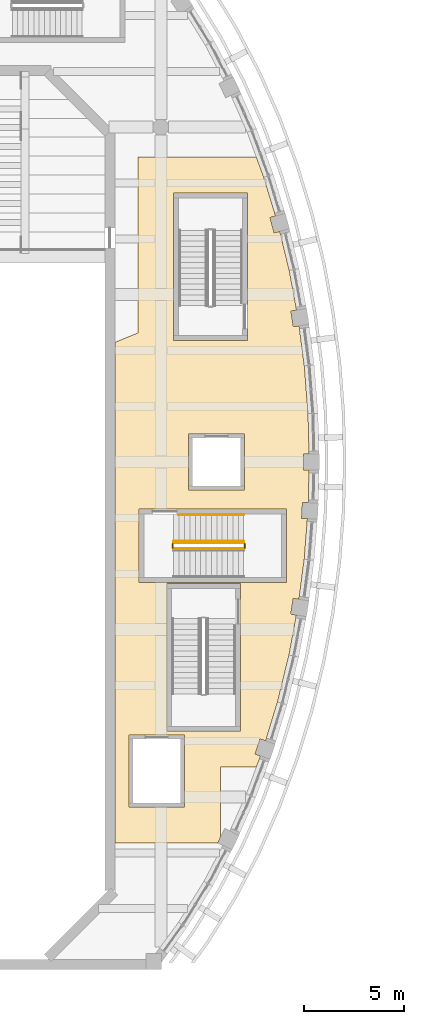
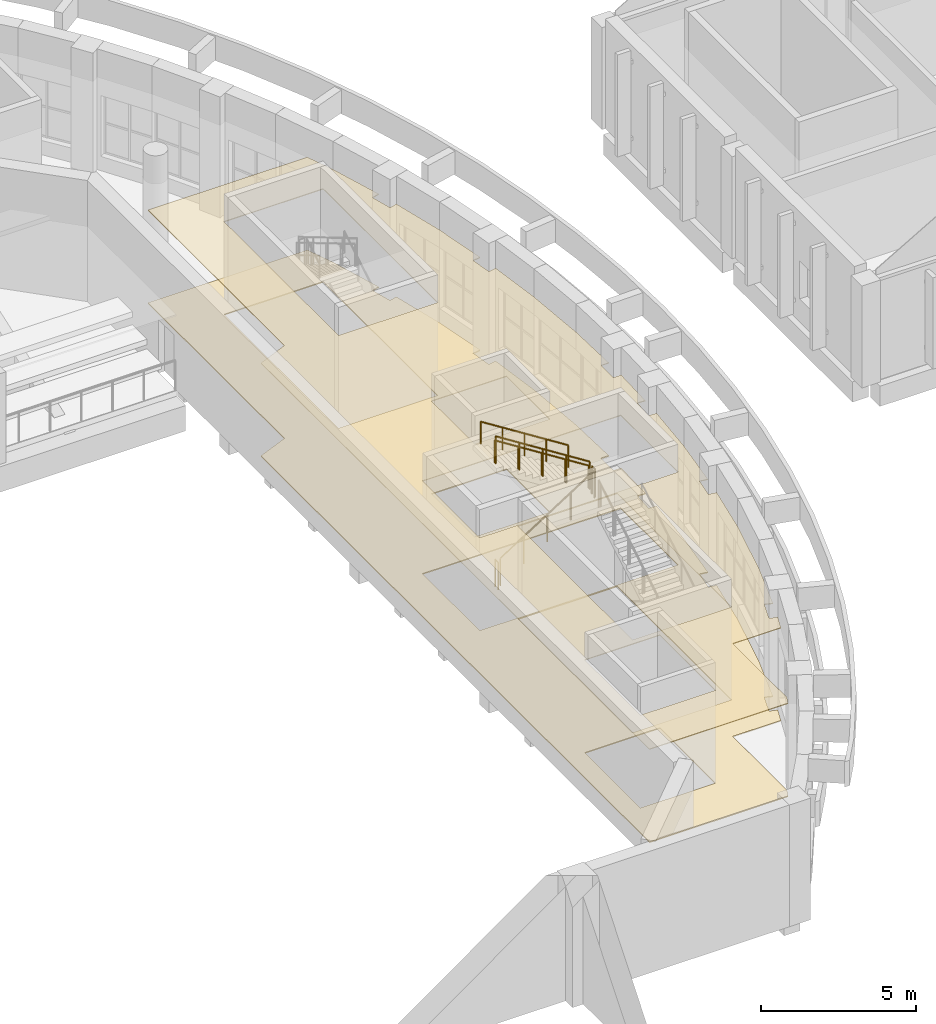
# One storey, part 71 of 79: 6 railings, 2 coverings.
"""IFC4 building model written with IfcOpenShell, lengths in metres."""

from ifc_helpers import new_model, si_unit, direction, frame, origin, origin_2d, place, context, subcontext, project, spatial, polyline, circle, outline, extrude, material, layer, layer_set, type_object, element, save


model = new_model("IFC4")

# Units and contexts
model_context = context("Model", 3, precision=1e-05, world=origin(), true_north=direction((0.0, 1.0)))
body_context = subcontext(model_context, "Body", "Model", "MODEL_VIEW")
ifc_project = project(units=[si_unit("LENGTHUNIT", "METRE"), si_unit("AREAUNIT", "SQUARE_METRE"), si_unit("VOLUMEUNIT", "CUBIC_METRE"), si_unit("PLANEANGLEUNIT", "RADIAN"), si_unit("MASSUNIT", "GRAM", prefix="KILO")], contexts=[model_context])

# Site, building, storey
site_placement = place(None, origin())
site = spatial("IfcSite", under=ifc_project, at=site_placement, CompositionType="ELEMENT")
building_placement = place(site_placement, origin())
building = spatial("IfcBuilding", under=site, at=building_placement, Name="Larchfold Concert Hall", CompositionType="ELEMENT")
storey_placement = place(building_placement, frame((0.0, 0.0, 14.39990234375)))
storey = spatial("IfcBuildingStorey", under=building, at=storey_placement, Name="L03", CompositionType="ELEMENT", Elevation=14.39990234375)

# Coverings
ifc_material_1 = material(Name="Plasterboard ceiling lining")
ifc_layer_1 = layer(ifc_material_1, 0.030029296875)
ifc_layer_set_1 = layer_set([ifc_layer_1], Name="Plasterboard ceiling lining")
covering_type_1 = type_object("IfcCoveringType", Name="Ceiling suspended plasterboard 30", PredefinedType="CEILING", material=ifc_layer_set_1)
covering_1_placement = place(storey_placement, frame((0.0, 0.0, 3.670166015625)))
element("IfcCovering", 1, at=covering_1_placement, inside=storey, type_object=covering_type_1, Name="Ceiling Hall Foyer East", PredefinedType="CEILING", context=body_context, shape_type="SweptSolid", body=[
    extrude(outline(polyline([(58.24560546875, 91.080810546875), (57.10009765625, 90.606201171875), (57.10009765625, 65.5009765625), (62.260498046875, 65.5009765625), (62.399169921875, 65.79150390625), (62.3994140625, 69.29345703125), (62.408203125, 69.301025390625), (64.194091796875, 69.301025390625), (64.402099609375, 69.859130859375), (64.12939453125, 69.951416015625), (64.3857421875, 70.709228515625), (64.65869140625, 70.616943359375), (65.253662109375, 72.562255859375), (65.83203125, 74.927490234375), (66.205322265625, 76.927978515625), (65.919921875, 76.973388671875), (66.04541015625, 77.763427734375), (66.3310546875, 77.718017578125), (66.5966796875, 79.73583984375), (66.755615234375, 81.765869140625), (66.466552734375, 81.781005859375), (66.508056640625, 82.579833984375), (66.79736328125, 82.56494140625), (66.839599609375, 84.2001953125), (66.55029296875, 84.2001953125), (66.55029296875, 85.0), (66.839599609375, 85.0), (66.78759765625, 87.020263671875), (66.599853515625, 89.433837890625), (66.337890625, 91.437255859375), (66.052001953125, 91.39208984375), (65.92724609375, 92.182373046875), (66.212890625, 92.2275390625), (65.84423828125, 94.215087890625), (65.367919921875, 96.176513671875), (65.08935546875, 96.1005859375), (64.87890625, 96.87255859375), (65.1572265625, 96.948486328125), (64.570068359375, 98.881591796875), (64.194091796875, 99.899169921875), (58.2509765625, 99.899169921875), (58.2509765625, 91.088623046875), (58.24560546875, 91.080810546875)]), holes=[polyline([(58.300048828125, 82.25), (65.699951171875, 82.25), (65.699951171875, 78.550048828125), (58.300048828125, 78.550048828125), (58.300048828125, 82.25)]), polyline([(60.050048828125, 90.699951171875), (60.050048828125, 98.10009765625), (63.75, 98.10009765625), (63.75, 90.699951171875), (60.050048828125, 90.699951171875)]), polyline([(60.800048828125, 86.0), (63.60009765625, 86.0), (63.60009765625, 83.199951171875), (60.800048828125, 83.199951171875), (60.800048828125, 86.0)]), polyline([(59.699951171875, 78.5), (63.39990234375, 78.5), (63.39990234375, 71.10009765625), (59.699951171875, 71.10009765625), (59.699951171875, 78.5)]), polyline([(57.800048828125, 67.300048828125), (57.800048828125, 70.89990234375), (60.60009765625, 70.89990234375), (60.60009765625, 67.300048828125), (57.800048828125, 67.300048828125)])]), origin(), (0.0, 0.0, 1.0), 0.030029296875),
])
ifc_material_2 = material(Name="Polished terrazzo")
ifc_layer_2 = layer(ifc_material_2, 0.0400390625)
ifc_layer_set_2 = layer_set([ifc_layer_2], Name="Polished terrazzo")
covering_type_2 = type_object("IfcCoveringType", Name="Floor finish terrazzo 40", PredefinedType="FLOORING", material=ifc_layer_set_2)
covering_2_placement = place(storey_placement, origin())
element("IfcCovering", 2, at=covering_2_placement, inside=storey, type_object=covering_type_2, Name="Floor finish Hall Foyer East", PredefinedType="FLOORING", context=body_context, shape_type="SweptSolid", body=[
    extrude(outline(polyline([(58.24560546875, 91.080810546875), (57.10009765625, 90.606201171875), (57.10009765625, 65.5009765625), (62.260498046875, 65.5009765625), (62.399169921875, 65.79150390625), (62.3994140625, 69.29345703125), (62.408203125, 69.301025390625), (64.194091796875, 69.301025390625), (64.402099609375, 69.859130859375), (64.12939453125, 69.951416015625), (64.3857421875, 70.709228515625), (64.65869140625, 70.616943359375), (65.253662109375, 72.562255859375), (65.83203125, 74.927490234375), (66.205322265625, 76.927978515625), (65.919921875, 76.973388671875), (66.04541015625, 77.763427734375), (66.3310546875, 77.718017578125), (66.5966796875, 79.73583984375), (66.755615234375, 81.765869140625), (66.466552734375, 81.781005859375), (66.508056640625, 82.579833984375), (66.79736328125, 82.56494140625), (66.839599609375, 84.2001953125), (66.55029296875, 84.2001953125), (66.55029296875, 85.0), (66.839599609375, 85.0), (66.78759765625, 87.020263671875), (66.599853515625, 89.433837890625), (66.337890625, 91.437255859375), (66.052001953125, 91.39208984375), (65.92724609375, 92.182373046875), (66.212890625, 92.2275390625), (65.84423828125, 94.215087890625), (65.367919921875, 96.176513671875), (65.08935546875, 96.1005859375), (64.87890625, 96.87255859375), (65.1572265625, 96.948486328125), (64.570068359375, 98.881591796875), (64.194091796875, 99.899169921875), (58.2509765625, 99.899169921875), (58.2509765625, 91.088623046875), (58.24560546875, 91.080810546875)]), holes=[polyline([(58.300048828125, 82.25), (65.699951171875, 82.25), (65.699951171875, 78.550048828125), (58.300048828125, 78.550048828125), (58.300048828125, 82.25)]), polyline([(60.050048828125, 90.699951171875), (60.050048828125, 98.10009765625), (63.75, 98.10009765625), (63.75, 90.699951171875), (60.050048828125, 90.699951171875)]), polyline([(60.800048828125, 86.0), (63.60009765625, 86.0), (63.60009765625, 83.199951171875), (60.800048828125, 83.199951171875), (60.800048828125, 86.0)]), polyline([(59.699951171875, 78.5), (63.39990234375, 78.5), (63.39990234375, 71.10009765625), (59.699951171875, 71.10009765625), (59.699951171875, 78.5)]), polyline([(57.800048828125, 67.300048828125), (57.800048828125, 70.89990234375), (60.60009765625, 70.89990234375), (60.60009765625, 67.300048828125), (57.800048828125, 67.300048828125)])]), origin(), (0.0, 0.0, 1.0), 0.0400390625),
])

# Railings
ifc_material_3 = material(Name="Stainless steel balustrade", Category="steel")
railing_type_1 = type_object("IfcRailingType", Name="Stair guard 1100", PredefinedType="GUARDRAIL", material=ifc_material_3)
railing_1_placement = place(storey_placement, frame((60.050048828125, 80.25, 0.171630859375)))
element("IfcRailing", 3, at=railing_1_placement, inside=storey, type_object=railing_type_1, Name="Guard GR0033", PredefinedType="GUARDRAIL", context=body_context, shape_type="SweptSolid", body=[
    extrude(circle(Radius=0.02392578125, at=origin_2d()), frame((0.0, 0.0, 1.076171875), z_axis=(0.844219563411, 0.0, 0.53599750816), x_axis=(0.0, 1.0, 0.0)), (0.0, 0.0, 1.0), 4.15771484375),
    extrude(circle(Radius=0.02099609375, at=origin_2d()), origin(), (0.0, 0.0, 1.0), 1.052001953125),
    extrude(circle(Radius=0.02099609375, at=origin_2d()), frame((0.87744140625, 0.0, 0.55712890625)), (0.0, 0.0, 1.0), 1.052001953125),
    extrude(circle(Radius=0.02099609375, at=origin_2d()), frame((1.7548828125, 0.0, 1.1142578125)), (0.0, 0.0, 1.0), 1.052001953125),
    extrude(circle(Radius=0.02099609375, at=origin_2d()), frame((2.632568359375, 0.0, 1.67138671875)), (0.0, 0.0, 1.0), 1.052001953125),
    extrude(circle(Radius=0.02099609375, at=origin_2d()), frame((3.510009765625, 0.0, 2.228515625)), (0.0, 0.0, 1.0), 1.052001953125),
])
railing_2_placement = place(storey_placement, frame((63.610107421875, 80.300048828125, 2.400146484375)))
element("IfcRailing", 4, at=railing_2_placement, inside=storey, type_object=railing_type_1, Name="Guard GR0034", PredefinedType="GUARDRAIL", context=body_context, shape_type="SweptSolid", body=[
    extrude(circle(Radius=0.02392578125, at=origin_2d()), frame((0.0, 0.0, 1.076171875), z_axis=(0.0, 1.0, 0.0), x_axis=(-1.0, 0.0, 0.0)), (0.0, 0.0, 1.0), 0.199951171875),
    extrude(circle(Radius=0.02099609375, at=origin_2d()), origin(), (0.0, 0.0, 1.0), 1.052001953125),
    extrude(circle(Radius=0.02099609375, at=origin_2d()), frame((0.0, 0.199951171875, 0.0)), (0.0, 0.0, 1.0), 1.052001953125),
])
railing_3_placement = place(storey_placement, frame((63.56005859375, 80.550048828125, 2.571533203125)))
element("IfcRailing", 5, at=railing_3_placement, inside=storey, type_object=railing_type_1, Name="Guard GR0035", PredefinedType="GUARDRAIL", context=body_context, shape_type="SweptSolid", body=[
    extrude(circle(Radius=0.02392578125, at=origin_2d()), frame((0.0, 0.0, 1.076171875), z_axis=(-0.844219563411, 0.0, 0.53599750816), x_axis=(0.0, -1.0, 0.0)), (0.0, 0.0, 1.0), 4.15771484375),
    extrude(circle(Radius=0.02099609375, at=origin_2d()), origin(), (0.0, 0.0, 1.0), 1.052001953125),
    extrude(circle(Radius=0.02099609375, at=origin_2d()), frame((-0.87744140625, 0.0, 0.55712890625)), (0.0, 0.0, 1.0), 1.052001953125),
    extrude(circle(Radius=0.02099609375, at=origin_2d()), frame((-1.7548828125, 0.0, 1.1142578125)), (0.0, 0.0, 1.0), 1.052001953125),
    extrude(circle(Radius=0.02099609375, at=origin_2d()), frame((-2.632568359375, 0.0, 1.67138671875)), (0.0, 0.0, 1.0), 1.052001953125),
    extrude(circle(Radius=0.02099609375, at=origin_2d()), frame((-3.510009765625, 0.0, 2.228515625)), (0.0, 0.0, 1.0), 1.052001953125),
])
railing_4_placement = place(storey_placement, frame((60.0, 80.300048828125, 0.0)))
element("IfcRailing", 6, at=railing_4_placement, inside=storey, type_object=railing_type_1, Name="Guard GR0036", PredefinedType="GUARDRAIL", context=body_context, shape_type="SweptSolid", body=[
    extrude(circle(Radius=0.02392578125, at=origin_2d()), frame((0.0, 0.0, 1.076171875), z_axis=(0.0, 1.0, 0.0), x_axis=(-1.0, 0.0, 0.0)), (0.0, 0.0, 1.0), 0.199951171875),
    extrude(circle(Radius=0.02099609375, at=origin_2d()), origin(), (0.0, 0.0, 1.0), 1.052001953125),
    extrude(circle(Radius=0.02099609375, at=origin_2d()), frame((0.0, 0.199951171875, 0.0)), (0.0, 0.0, 1.0), 1.052001953125),
])
ifc_material_4 = material(Name="Stainless steel handrail", Category="steel")
railing_type_2 = type_object("IfcRailingType", Name="Stair handrail 900", PredefinedType="HANDRAIL", material=ifc_material_4)
railing_5_placement = place(storey_placement, frame((63.56005859375, 81.949951171875, 2.571533203125)))
element("IfcRailing", 7, at=railing_5_placement, inside=storey, type_object=railing_type_2, Name="Handrail HR0030", PredefinedType="HANDRAIL", context=body_context, shape_type="SweptSolid", body=[
    extrude(circle(Radius=0.02392578125, at=origin_2d()), frame((0.0, 0.0, 0.8759765625), z_axis=(-0.844215539873, 0.0, 0.536003845356), x_axis=(0.0, -1.0, 0.0)), (0.0, 0.0, 1.0), 3.861572265625),
    extrude(circle(Radius=0.02099609375, at=origin_2d()), origin(), (0.0, 0.0, 1.0), 0.851806640625),
    extrude(circle(Radius=0.02099609375, at=origin_2d()), frame((-0.81494140625, 0.0, 0.517578125)), (0.0, 0.0, 1.0), 0.851806640625),
    extrude(circle(Radius=0.02099609375, at=origin_2d()), frame((-1.6298828125, 0.0, 1.034912109375)), (0.0, 0.0, 1.0), 0.851806640625),
    extrude(circle(Radius=0.02099609375, at=origin_2d()), frame((-2.445068359375, 0.0, 1.55224609375)), (0.0, 0.0, 1.0), 0.851806640625),
    extrude(circle(Radius=0.02099609375, at=origin_2d()), frame((-3.260009765625, 0.0, 2.06982421875)), (0.0, 0.0, 1.0), 0.851806640625),
])
railing_6_placement = place(storey_placement, frame((63.56005859375, 80.6201171875, 2.571533203125)))
element("IfcRailing", 8, at=railing_6_placement, inside=storey, type_object=railing_type_2, Name="Handrail HR0032", PredefinedType="HANDRAIL", context=body_context, shape_type="SweptSolid", body=[
    extrude(circle(Radius=0.02392578125, at=origin_2d()), frame((0.0, 0.0, 0.8759765625), z_axis=(-0.844219563411, 0.0, 0.53599750816), x_axis=(0.0, -1.0, 0.0)), (0.0, 0.0, 1.0), 4.15771484375),
    extrude(circle(Radius=0.02099609375, at=origin_2d()), origin(), (0.0, 0.0, 1.0), 0.851806640625),
    extrude(circle(Radius=0.02099609375, at=origin_2d()), frame((-0.87744140625, 0.0, 0.55712890625)), (0.0, 0.0, 1.0), 0.851806640625),
    extrude(circle(Radius=0.02099609375, at=origin_2d()), frame((-1.7548828125, 0.0, 1.1142578125)), (0.0, 0.0, 1.0), 0.851806640625),
    extrude(circle(Radius=0.02099609375, at=origin_2d()), frame((-2.632568359375, 0.0, 1.67138671875)), (0.0, 0.0, 1.0), 0.851806640625),
    extrude(circle(Radius=0.02099609375, at=origin_2d()), frame((-3.510009765625, 0.0, 2.228515625)), (0.0, 0.0, 1.0), 0.851806640625),
])

save(model, "model.ifc")
